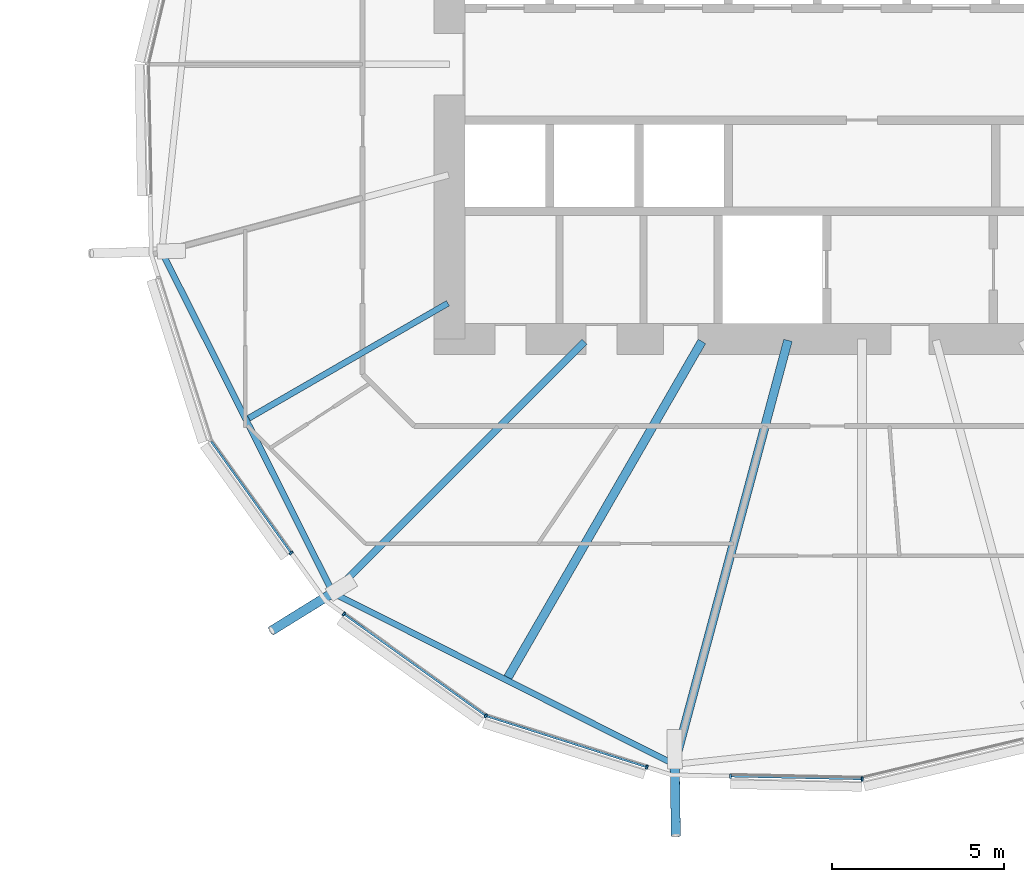
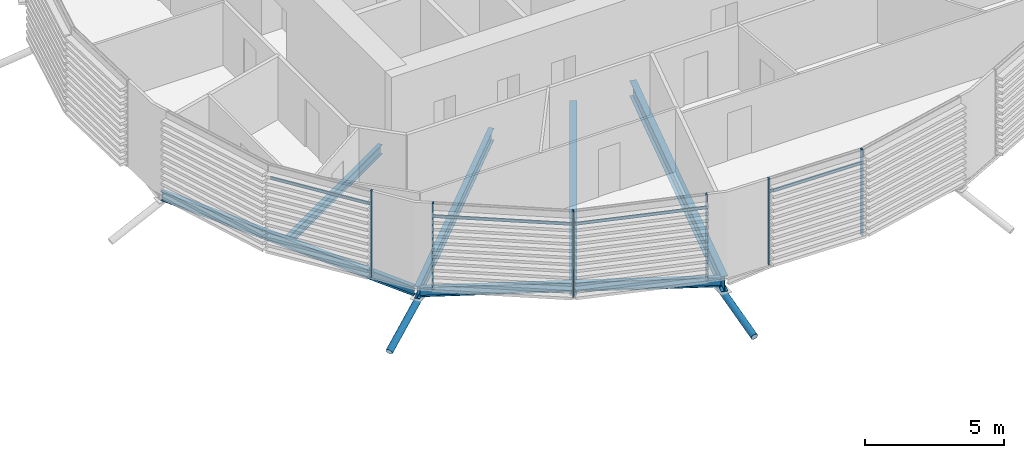
# One storey, part 12 of 36: 12 members, 6 beams, 1 element without a shape of its own.
"""IFC4 building model written with IfcOpenShell, lengths in metres."""

import ifcopenshell
import ifcopenshell.guid

model = None  # the IFC model being written
_history = None  # IfcOwnerHistory: only IFC2X3 demands one
_inside = {}  # id of a spatial element -> (the spatial element, [elements in it])
_under = {}  # id of a project, library or spatial element -> (it, [spatial elements below it])
_declared = {}  # id of a project -> (the project, [libraries it declares])
_typed = {}  # id of a type object -> (the type object, [elements of that type])
_made_of = {}  # id of a material, layer set ... -> (it, [elements and type objects made of it])


def new_model(schema):
    """Start an empty IFC model of exactly this schema.

    Asked for "IFC4X3", IfcOpenShell would pick the latest addendum, in which some entities
    have other attributes; the version numbers below select the first issue.
    IFC2X3 requires an IfcOwnerHistory on every rooted entity: one is made here for all.
    """
    global model, _history
    if schema == "IFC4X3":
        model = ifcopenshell.file(schema_version=(4, 3, 0, 0))
    else:
        model = ifcopenshell.file(schema=schema)
    _inside.clear()
    _under.clear()
    _declared.clear()
    _typed.clear()
    _made_of.clear()
    _history = None
    if model.schema == "IFC2X3":
        org = make("IfcOrganization", Name="unknown")
        user = make(
            "IfcPersonAndOrganization",
            ThePerson=make("IfcPerson", FamilyName="unknown"),
            TheOrganization=org,
        )
        app = make(
            "IfcApplication",
            ApplicationDeveloper=org,
            Version="unknown",
            ApplicationFullName="unknown",
            ApplicationIdentifier="unknown",
        )
        _history = make(
            "IfcOwnerHistory",
            OwningUser=user,
            OwningApplication=app,
            ChangeAction="ADDED",
            CreationDate=0,
        )
    return model


def make(cls, **values):
    """One entity of the class cls with the attributes given. An attribute that is None is left unset."""
    return model.create_entity(
        cls, **{name: value for name, value in values.items() if value is not None}
    )


def rooted(cls, **values):
    """An entity with a GlobalId (a new one), such as an element, a storey or a relation."""
    return make(cls, GlobalId=ifcopenshell.guid.new(), OwnerHistory=_history, **values)


def si_unit(unit_type, name, prefix=None):
    """IfcSIUnit, for example si_unit("LENGTHUNIT", "METRE", prefix="MILLI")."""
    return make("IfcSIUnit", UnitType=unit_type, Prefix=prefix, Name=name)


def assignment(units):
    """IfcUnitAssignment: the units of a project."""
    return None if units is None else make("IfcUnitAssignment", Units=units)


def point(xyz):
    """IfcCartesianPoint."""
    return None if xyz is None else make("IfcCartesianPoint", Coordinates=xyz)


def direction(xyz):
    """IfcDirection."""
    return None if xyz is None else make("IfcDirection", DirectionRatios=xyz)


def frame(location, z_axis=None, x_axis=None):
    """IfcAxis2Placement3D, a coordinate frame: its origin and axes. An axis left out is left unset."""
    return make(
        "IfcAxis2Placement3D",
        Location=point(location),
        Axis=direction(z_axis),
        RefDirection=direction(x_axis),
    )


def frame_2d(location, x_axis=None):
    """IfcAxis2Placement2D, a coordinate frame in the plane: its origin and x axis."""
    return make(
        "IfcAxis2Placement2D", Location=point(location), RefDirection=direction(x_axis)
    )


def origin():
    """The frame at (0, 0, 0) with its axes left unset."""
    return frame((0.0, 0.0, 0.0))


def origin_2d():
    """The frame at (0, 0) in the plane with its x axis left unset."""
    return frame_2d((0.0, 0.0))


def place(relative_to, where):
    """IfcLocalPlacement: puts the frame where relative to a parent placement (None: the world)."""
    return make(
        "IfcLocalPlacement", PlacementRelTo=relative_to, RelativePlacement=where
    )


def context(
    kind, dimensions, precision=None, world=None, true_north=None, identifier=None
):
    """IfcGeometricRepresentationContext, for example the 3D "Model" context."""
    return make(
        "IfcGeometricRepresentationContext",
        ContextIdentifier=identifier,
        ContextType=kind,
        CoordinateSpaceDimension=dimensions,
        Precision=precision,
        WorldCoordinateSystem=world,
        TrueNorth=true_north,
    )


def subcontext(parent, identifier, kind, view, scale=None):
    """IfcGeometricRepresentationSubContext, for example "Body" below "Model"."""
    return make(
        "IfcGeometricRepresentationSubContext",
        ContextIdentifier=identifier,
        ContextType=kind,
        ParentContext=parent,
        TargetScale=scale,
        TargetView=view,
    )


def project(units=None, contexts=None):
    """IfcProject with its units and contexts."""
    return rooted(
        "IfcProject",
        Name="project",
        RepresentationContexts=contexts,
        UnitsInContext=assignment(units),
    )


def spatial(cls, under=None, at=None, **own):
    """A site, building, storey or space (cls), placed at a placement, below another one or the project."""
    s = rooted(cls, ObjectPlacement=at, **own)
    if under is not None:
        _under.setdefault(under.id(), (under, []))[1].append(s)
    return s


def profile(cls, at=None, kind="AREA", **sizes):
    """A parametric profile (cls). Its sizes go by their IFC names, for example OverallWidth=200.0."""
    return make(cls, ProfileType=kind, Position=at, **sizes)


def rectangle(**sizes):
    """IfcRectangleProfileDef."""
    return profile("IfcRectangleProfileDef", **sizes)


def hollow_circle(**sizes):
    """IfcCircleHollowProfileDef."""
    return profile("IfcCircleHollowProfileDef", **sizes)


def i_section(**sizes):
    """IfcIShapeProfileDef."""
    return profile("IfcIShapeProfileDef", **sizes)


def extrude(swept, where, along, depth):
    """IfcExtrudedAreaSolid: the profile swept, set in the frame where, extruded along a direction by depth."""
    return make(
        "IfcExtrudedAreaSolid",
        SweptArea=swept,
        Position=where,
        ExtrudedDirection=direction(along),
        Depth=depth,
    )


def clip(a, b, op="DIFFERENCE"):
    """IfcBooleanClippingResult: the solid a cut by the half space b."""
    return make(
        "IfcBooleanClippingResult", Operator=op, FirstOperand=a, SecondOperand=b
    )


def halfspace(plane, agree):
    """IfcHalfSpaceSolid: all space on one side of the plane z = 0 of the frame plane."""
    return make(
        "IfcHalfSpaceSolid",
        BaseSurface=make("IfcPlane", Position=plane),
        AgreementFlag=agree,
    )


def shape(context_of_items, identifier, shape_type, items):
    """IfcShapeRepresentation: the items that make up one representation, for example the "Body"."""
    return make(
        "IfcShapeRepresentation",
        ContextOfItems=context_of_items,
        RepresentationIdentifier=identifier,
        RepresentationType=shape_type,
        Items=items,
    )


def material(Name=None, Category=None):
    """IfcMaterial."""
    return make("IfcMaterial", Name=Name, Category=Category)


def material_profile(
    of_material, cross_section, Name=None, Category=None, Priority=None
):
    """IfcMaterialProfile: a cross section and its material."""
    return make(
        "IfcMaterialProfile",
        Name=Name,
        Material=of_material,
        Profile=cross_section,
        Priority=Priority,
        Category=Category,
    )


def profile_set(profiles, Name=None, composite=None):
    """IfcMaterialProfileSet."""
    return make(
        "IfcMaterialProfileSet",
        Name=Name,
        MaterialProfiles=profiles,
        CompositeProfile=composite,
    )


def made_of(thing, what):
    """Note that an element or type object is made of a material, layer set ...; save() writes the relation."""
    if what is not None:
        _made_of.setdefault(what.id(), (what, []))[1].append(thing)
    return thing


def type_object(cls, material=None, **own):
    """A type object (cls), such as IfcWallType, which elements share."""
    return made_of(rooted(cls, **own), material)


def element(
    cls,
    number,
    at=None,
    inside=None,
    cuts=None,
    type_object=None,
    material=None,
    context=None,
    identifier="Body",
    shape_type=None,
    held_by="IfcProductDefinitionShape",
    body=None,
    shapes=None,
    **own,
):
    """One element of the class cls, such as IfcWall. Its Tag is "e" and its number.

    at: its placement. inside: the storey or other place that contains it. cuts: it is an
    opening in that element (IfcRelVoidsElement). A single representation is given by context,
    identifier, shape_type and body (its items); several are given by shapes. held_by: the class
    of the entity that holds the representations. save() writes the other relations.
    """
    e = rooted(cls, Tag="e%d" % number, ObjectPlacement=at, **own)
    if body is not None:
        shapes = [shape(context, identifier, shape_type, body)]
    if shapes is not None:
        e.Representation = make(held_by, Representations=shapes)
    if inside is not None:
        _inside.setdefault(inside.id(), (inside, []))[1].append(e)
    if cuts is not None:
        rooted(
            "IfcRelVoidsElement", RelatingBuildingElement=cuts, RelatedOpeningElement=e
        )
    if type_object is not None:
        _typed.setdefault(type_object.id(), (type_object, []))[1].append(e)
    return made_of(e, material)


def aggregate(whole, parts):
    """IfcRelAggregates: a whole, such as a stair, and the parts it consists of."""
    return rooted("IfcRelAggregates", RelatingObject=whole, RelatedObjects=parts)


def save(model, path):
    """Write the relations noted so far, then the file.

    IfcRelAggregates (storeys below a building ...), IfcRelContainedInSpatialStructure (elements
    in a storey), IfcRelDefinesByType, IfcRelAssociatesMaterial and IfcRelDeclares: one each for
    every whole, place, type object, material and project.
    """
    for whole, parts in _under.values():
        aggregate(whole, parts)
    for where, things in _inside.values():
        rooted(
            "IfcRelContainedInSpatialStructure",
            RelatedElements=things,
            RelatingStructure=where,
        )
    for kind, things in _typed.values():
        rooted("IfcRelDefinesByType", RelatedObjects=things, RelatingType=kind)
    for what, things in _made_of.values():
        rooted("IfcRelAssociatesMaterial", RelatedObjects=things, RelatingMaterial=what)
    for by, libraries in _declared.values():
        rooted("IfcRelDeclares", RelatingContext=by, RelatedDefinitions=libraries)
    model.write(path)


model = new_model("IFC4")

# Units and contexts
model_context = context("Model", 3, precision=1e-05, world=origin(), true_north=direction((0.0, 1.0)))
body_context = subcontext(model_context, "Body", "Model", "MODEL_VIEW")
ifc_project = project(units=[si_unit("LENGTHUNIT", "METRE"), si_unit("AREAUNIT", "SQUARE_METRE"), si_unit("VOLUMEUNIT", "CUBIC_METRE"), si_unit("PLANEANGLEUNIT", "RADIAN"), si_unit("MASSUNIT", "GRAM", prefix="KILO")], contexts=[model_context])

# Site, building, storey
site_placement = place(None, origin())
site = spatial("IfcSite", under=ifc_project, at=site_placement, CompositionType="ELEMENT")
building_placement = place(site_placement, origin())
building = spatial("IfcBuilding", under=site, at=building_placement, Name="Rimbun Link Towers", CompositionType="ELEMENT")
storey_placement = place(building_placement, frame((0.0, 0.0, 33.800048828125)))
storey = spatial("IfcBuildingStorey", under=building, at=storey_placement, Name="L07", CompositionType="ELEMENT", Elevation=33.800048828125)

# Curtain wall, members
ifc_material_1 = material(Name="Aluminium 6063-T6 and low-iron glass", Category="aluminium")
curtain_wall_type = type_object("IfcCurtainWallType", Name="CW1 unitised vision wall", PredefinedType="NOTDEFINED", material=ifc_material_1)
curtain_wall_placement = place(storey_placement, origin())
curtain_wall = element("IfcCurtainWall", 1, at=curtain_wall_placement, inside=storey, type_object=curtain_wall_type, Name="CW1 L07 T2", PredefinedType="NOTDEFINED")
ifc_material_2 = material(Name="Aluminium 6063-T6", Category="aluminium")
ifc_material_profile_1 = material_profile(ifc_material_2, rectangle(XDim=0.1201171875, YDim=0.06005859375, at=origin_2d()), Name="MULLION 60X120")
ifc_profile_set_1 = profile_set([ifc_material_profile_1], Name="Aluminium 6063-T6")
member_type_1 = type_object("IfcMemberType", Name="CW1 mullion 60X120", PredefinedType="MULLION", material=ifc_profile_set_1)
member_1_placement = place(storey_placement, frame((15.144775390625, -14.218994140625, 0.0), z_axis=(0.0, 0.0, 1.0), x_axis=(-0.812473502255, -0.58299812018, 0.0)))
member_1 = element("IfcMember", 2, at=member_1_placement, type_object=member_type_1, Name="CW1 mullion", PredefinedType="MULLION", context=body_context, shape_type="SweptSolid", body=[
    extrude(rectangle(XDim=0.1201171875, YDim=0.06005859375, at=origin_2d()), origin(), (0.0, 0.0, 1.0), 3.800048828125),
])
member_2_placement = place(storey_placement, frame((20.809326171875, -18.956787109375, 0.0), z_axis=(0.0, 0.0, 1.0), x_axis=(-0.448570450665, -0.893747475963, 0.0)))
member_2 = element("IfcMember", 3, at=member_2_placement, type_object=member_type_1, Name="CW1 mullion", PredefinedType="MULLION", context=body_context, shape_type="SweptSolid", body=[
    extrude(rectangle(XDim=0.1201171875, YDim=0.06005859375, at=origin_2d()), origin(), (0.0, 0.0, 1.0), 3.800048828125),
])
member_3_placement = place(storey_placement, frame((16.677734375, -15.992919921875, 0.0), z_axis=(0.0, 0.0, 1.0), x_axis=(-0.58299812018, -0.812473502255, 0.0)))
member_3 = element("IfcMember", 4, at=member_3_placement, type_object=member_type_1, Name="CW1 mullion", PredefinedType="MULLION", context=body_context, shape_type="SweptSolid", body=[
    extrude(rectangle(XDim=0.1201171875, YDim=0.06005859375, at=origin_2d()), origin(), (0.0, 0.0, 1.0), 3.800048828125),
])
member_4_placement = place(storey_placement, frame((25.49267578125, -20.447021484375, 0.0), z_axis=(0.0, 0.0, 1.0), x_axis=(-0.303073741351, -0.952967107147, 0.0)))
member_4 = element("IfcMember", 5, at=member_4_placement, type_object=member_type_1, Name="CW1 mullion", PredefinedType="MULLION", context=body_context, shape_type="SweptSolid", body=[
    extrude(rectangle(XDim=0.1201171875, YDim=0.06005859375, at=origin_2d()), origin(), (0.0, 0.0, 1.0), 3.800048828125),
])
member_5_placement = place(storey_placement, frame((31.75634765625, -20.793212890625, 0.0), z_axis=(0.0, 0.0, 1.0), x_axis=(0.106644689088, -0.994297194147, 0.0)))
member_5 = element("IfcMember", 6, at=member_5_placement, type_object=member_type_1, Name="CW1 mullion", PredefinedType="MULLION", context=body_context, shape_type="SweptSolid", body=[
    extrude(rectangle(XDim=0.1201171875, YDim=0.06005859375, at=origin_2d()), origin(), (0.0, 0.0, 1.0), 3.800048828125),
])
member_6_placement = place(storey_placement, frame((27.924072265625, -20.712890625, 0.0), z_axis=(0.0, 0.0, 1.0), x_axis=(-0.021065867113, -0.999778089999, 0.0)))
member_6 = element("IfcMember", 7, at=member_6_placement, type_object=member_type_1, Name="CW1 mullion", PredefinedType="MULLION", context=body_context, shape_type="SweptSolid", body=[
    extrude(rectangle(XDim=0.1201171875, YDim=0.06005859375, at=origin_2d()), origin(), (0.0, 0.0, 1.0), 3.800048828125),
])
ifc_material_3 = material(Name="Aluminium 6063-T6", Category="aluminium")
ifc_material_profile_2 = material_profile(ifc_material_3, rectangle(XDim=0.06005859375, YDim=0.1201171875, at=origin_2d()), Name="TRANSOM 60X120")
ifc_profile_set_2 = profile_set([ifc_material_profile_2], Name="Aluminium 6063-T6")
member_type_2 = type_object("IfcMemberType", Name="CW1 transom 60X120", PredefinedType="USERDEFINED", material=ifc_profile_set_2)
member_7_placement = place(storey_placement, frame((15.12890625, -14.193603515625, 3.199951171875), z_axis=(-0.582960896958, 0.812500210842, 0.0), x_axis=(-0.812500210842, -0.582960896958, 0.0)))
member_7 = element("IfcMember", 8, at=member_7_placement, type_object=member_type_2, Name="CW1 transom", ObjectType="TRANSOM", PredefinedType="USERDEFINED", context=body_context, shape_type="SweptSolid", body=[
    extrude(rectangle(XDim=0.06005859375, YDim=0.1201171875, at=origin_2d()), origin(), (0.0, 0.0, 1.0), 3.965087890625),
])
member_8_placement = place(storey_placement, frame((20.778076171875, -18.9326171875, 3.199951171875), z_axis=(-0.812475090507, 0.582995906765, 0.0), x_axis=(-0.582995906765, -0.812475090507, 0.0)))
member_8 = element("IfcMember", 9, at=member_8_placement, type_object=member_type_2, Name="CW1 transom", ObjectType="TRANSOM", PredefinedType="USERDEFINED", context=body_context, shape_type="SweptSolid", body=[
    extrude(rectangle(XDim=0.06005859375, YDim=0.1201171875, at=origin_2d()), origin(), (0.0, 0.0, 1.0), 5.01513671875),
])
member_9_placement = place(storey_placement, frame((25.46484375, -20.43603515625, 3.199951171875), z_axis=(-0.952966137754, 0.303076789435, 0.0), x_axis=(-0.303076789435, -0.952966137754, 0.0)))
member_9 = element("IfcMember", 10, at=member_9_placement, type_object=member_type_2, Name="CW1 transom", ObjectType="TRANSOM", PredefinedType="USERDEFINED", context=body_context, shape_type="SweptSolid", body=[
    extrude(rectangle(XDim=0.06005859375, YDim=0.1201171875, at=origin_2d()), origin(), (0.0, 0.0, 1.0), 4.84521484375),
])
member_10_placement = place(storey_placement, frame((31.71875, -20.790771484375, 3.199951171875), z_axis=(-0.99977796404, 0.021071844249, 0.0), x_axis=(-0.021071844249, -0.99977796404, 0.0)))
member_10 = element("IfcMember", 11, at=member_10_placement, type_object=member_type_2, Name="CW1 transom", ObjectType="TRANSOM", PredefinedType="USERDEFINED", context=body_context, shape_type="SweptSolid", body=[
    extrude(rectangle(XDim=0.06005859375, YDim=0.1201171875, at=origin_2d()), origin(), (0.0, 0.0, 1.0), 3.765380859375),
])
aggregate(curtain_wall, [member_1, member_2, member_3, member_4, member_5, member_6, member_7, member_8, member_9, member_10])

# Members
ifc_material_4 = material(Name="Steel S355J2H", Category="steel")
ifc_material_profile_3 = material_profile(ifc_material_4, hollow_circle(Radius=0.136474609375, WallThickness=0.012451171875, at=origin_2d()), Name="CHS 273x12.5")
ifc_profile_set_3 = profile_set([ifc_material_profile_3], Name="Steel S355J2H")
member_type_3 = type_object("IfcMemberType", Name="Floor edge link CHS 273x12.5", PredefinedType="BRACE", material=ifc_profile_set_3)
member_11_placement = place(storey_placement, frame((16.399169921875, -15.350830078125, -0.818359375), z_axis=(-0.781079157281, -0.483386018625, -0.395288890635), x_axis=(0.526245073271, -0.850332948237, 0.0)))
element("IfcMember", 12, at=member_11_placement, inside=storey, type_object=member_type_3, Name="Floor edge link T2 L07 12", PredefinedType="BRACE", context=body_context, shape_type="Clipping", body=[
    clip(extrude(hollow_circle(Radius=0.136474609375, WallThickness=0.012451171875, at=origin_2d()), frame((0.0, 0.0, -0.65966796875)), (0.0, 0.0, 1.0), 2.99853515625), halfspace(frame((0.0, 0.0, -0.311767578125), z_axis=(0.0, 0.918556853407, -0.395288890635)), False)),
])
member_12_placement = place(storey_placement, frame((26.30517578125, -20.3203125, -0.974853515625), z_axis=(0.013251059754, -0.961585236147, -0.274186511409), x_axis=(0.999905063371, 0.013779123519, 0.0)))
element("IfcMember", 13, at=member_12_placement, inside=storey, type_object=member_type_3, Name="Floor edge link T2 L07 14", PredefinedType="BRACE", context=body_context, shape_type="Clipping", body=[
    clip(extrude(hollow_circle(Radius=0.136474609375, WallThickness=0.012451171875, at=origin_2d()), frame((0.0, 0.0, -0.993896484375)), (0.0, 0.0, 1.0), 3.204833984375), halfspace(frame((0.0, 0.0, -0.4716796875), z_axis=(0.0, 0.961676534476, -0.274186511409)), False)),
])

# Beams
ifc_material_5 = material(Name="Steel S355J2", Category="steel")
ifc_material_profile_4 = material_profile(ifc_material_5, i_section(OverallWidth=0.177978515625, OverallDepth=0.406494140625, WebThickness=0.0078125, FlangeThickness=0.0126953125, at=origin_2d()), Name="UB 406x178x60")
ifc_profile_set_4 = profile_set([ifc_material_profile_4], Name="Steel S355J2")
beam_type_1 = type_object("IfcBeamType", Name="UB 406x178x60", PredefinedType="BEAM", material=ifc_profile_set_4)
beam_1_placement = place(storey_placement, frame((19.70458984375, -6.954345703125, -0.36328125), z_axis=(-0.866015402684, -0.500017322015, 0.0), x_axis=(0.500017322015, -0.866015402684, 0.0)))
element("IfcBeam", 14, at=beam_1_placement, inside=storey, type_object=beam_type_1, Name="Radial beam T2 L07 11", PredefinedType="BEAM", context=body_context, shape_type="SweptSolid", body=[
    extrude(i_section(OverallWidth=0.177978515625, OverallDepth=0.406494140625, WebThickness=0.0078125, FlangeThickness=0.0126953125, at=origin_2d()), origin(), (0.0, 0.0, 1.0), 6.689208984375),
])
beam_2_placement = place(storey_placement, frame((11.425537109375, -5.54541015625, -0.36328125), z_axis=(0.448521294945, -0.893772145449, 0.0), x_axis=(0.893772145449, 0.448521294945, 0.0)))
element("IfcBeam", 15, at=beam_2_placement, inside=storey, type_object=beam_type_1, Name="Edge beam T2 L07 10-12", PredefinedType="BEAM", context=body_context, shape_type="SweptSolid", body=[
    extrude(i_section(OverallWidth=0.177978515625, OverallDepth=0.406494140625, WebThickness=0.0078125, FlangeThickness=0.0126953125, at=origin_2d()), origin(), (0.0, 0.0, 1.0), 10.89892578125),
])
beam_3_placement = place(storey_placement, frame((16.46337890625, -15.43603515625, -0.36328125), z_axis=(0.893774687832, -0.448516228682, 0.0), x_axis=(0.448516228682, 0.893774687832, 0.0)))
element("IfcBeam", 16, at=beam_3_placement, inside=storey, type_object=beam_type_1, Name="Edge beam T2 L07 12-14", PredefinedType="BEAM", context=body_context, shape_type="SweptSolid", body=[
    extrude(i_section(OverallWidth=0.177978515625, OverallDepth=0.406494140625, WebThickness=0.0078125, FlangeThickness=0.0126953125, at=origin_2d()), origin(), (0.0, 0.0, 1.0), 10.866455078125),
])
ifc_material_6 = material(Name="Steel S355J2", Category="steel")
ifc_material_profile_5 = material_profile(ifc_material_6, i_section(OverallWidth=0.209228515625, OverallDepth=0.533203125, WebThickness=0.010009765625, FlangeThickness=0.015625, at=origin_2d()), Name="UB 533x210x92")
ifc_profile_set_5 = profile_set([ifc_material_profile_5], Name="Steel S355J2")
beam_type_2 = type_object("IfcBeamType", Name="UB 533x210x92", PredefinedType="BEAM", material=ifc_profile_set_5)
beam_4_placement = place(storey_placement, frame((23.67529296875, -8.07470703125, -0.4267578125), z_axis=(-0.707106781187, -0.707106781187, 0.0), x_axis=(0.707106781187, -0.707106781187, 0.0)))
element("IfcBeam", 17, at=beam_4_placement, inside=storey, type_object=beam_type_2, Name="Radial beam T2 L07 12", PredefinedType="BEAM", context=body_context, shape_type="SweptSolid", body=[
    extrude(i_section(OverallWidth=0.209228515625, OverallDepth=0.533203125, WebThickness=0.010009765625, FlangeThickness=0.015625, at=origin_2d()), origin(), (0.0, 0.0, 1.0), 10.339599609375),
])
ifc_material_7 = material(Name="Steel S355J2", Category="steel")
ifc_material_profile_6 = material_profile(ifc_material_7, i_section(OverallWidth=0.253662109375, OverallDepth=0.68359375, WebThickness=0.012451171875, FlangeThickness=0.01904296875, at=origin_2d()), Name="UB 686x254x140")
ifc_profile_set_6 = profile_set([ifc_material_profile_6], Name="Steel S355J2")
beam_type_3 = type_object("IfcBeamType", Name="UB 686x254x140", PredefinedType="BEAM", material=ifc_profile_set_6)
beam_5_placement = place(storey_placement, frame((27.093994140625, -8.064208984375, -0.501708984375), z_axis=(-0.499996462765, -0.866027445998, 0.0), x_axis=(0.866027445998, -0.499996462765, 0.0)))
element("IfcBeam", 18, at=beam_5_placement, inside=storey, type_object=beam_type_3, Name="Radial beam T2 L07 13", PredefinedType="BEAM", context=body_context, shape_type="SweptSolid", body=[
    extrude(i_section(OverallWidth=0.253662109375, OverallDepth=0.68359375, WebThickness=0.012451171875, FlangeThickness=0.01904296875, at=origin_2d()), origin(), (0.0, 0.0, 1.0), 11.2861328125),
])
beam_6_placement = place(storey_placement, frame((29.597412109375, -8.03369140625, -0.501708984375), z_axis=(-0.258826232852, -0.965923900309, 0.0), x_axis=(0.965923900309, -0.258826232852, 0.0)))
element("IfcBeam", 19, at=beam_6_placement, inside=storey, type_object=beam_type_3, Name="Radial beam T2 L07 14", PredefinedType="BEAM", context=body_context, shape_type="SweptSolid", body=[
    extrude(i_section(OverallWidth=0.253662109375, OverallDepth=0.68359375, WebThickness=0.012451171875, FlangeThickness=0.01904296875, at=origin_2d()), origin(), (0.0, 0.0, 1.0), 12.769775390625),
])

save(model, "model.ifc")
